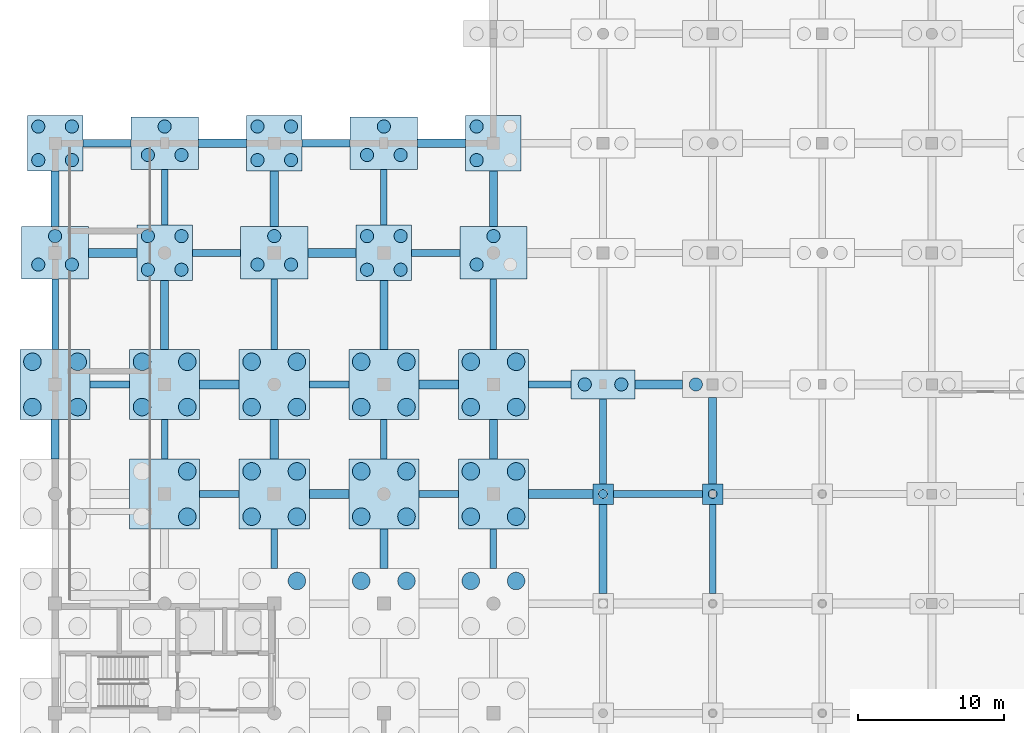
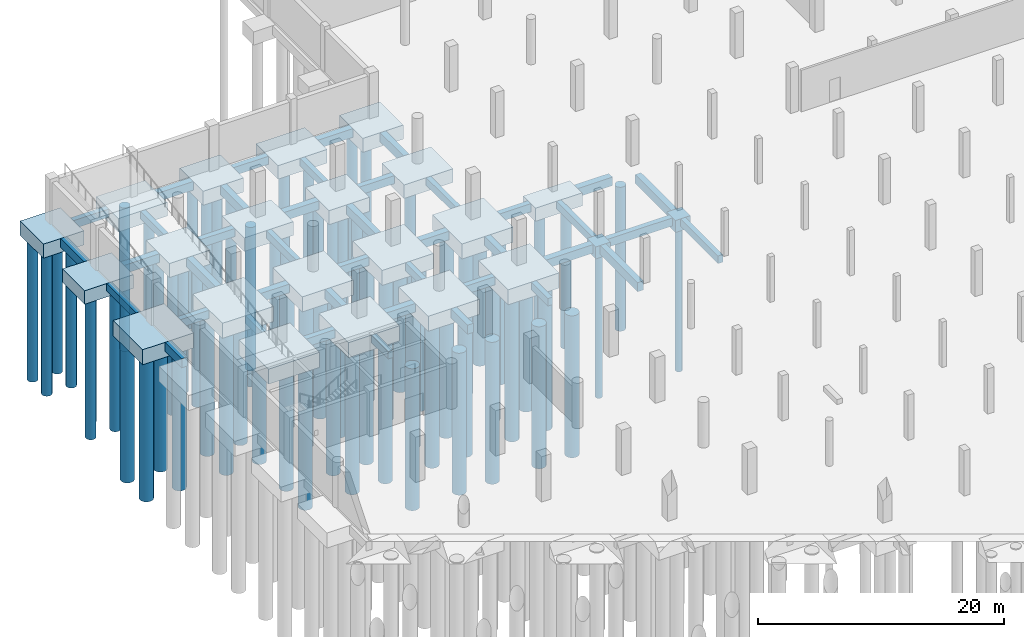
# One storey, part 6 of 42: 76 piles, 63 footings.
"""IFC4 building model written with IfcOpenShell, lengths in metres."""

from ifc_helpers import new_model, si_unit, direction, frame, origin, origin_2d, place, context, subcontext, project, spatial, rectangle, circle, extrude, material, material_profile, profile_set, type_object, element, save


model = new_model("IFC4")

# Units and contexts
model_context = context("Model", 3, precision=1e-05, world=origin(), true_north=direction((0.0, 1.0)))
body_context = subcontext(model_context, "Body", "Model", "MODEL_VIEW")
ifc_project = project(units=[si_unit("LENGTHUNIT", "METRE"), si_unit("AREAUNIT", "SQUARE_METRE"), si_unit("VOLUMEUNIT", "CUBIC_METRE"), si_unit("PLANEANGLEUNIT", "RADIAN"), si_unit("MASSUNIT", "GRAM", prefix="KILO")], contexts=[model_context])

# Site, building, storey
site_placement = place(None, origin())
site = spatial("IfcSite", under=ifc_project, at=site_placement, CompositionType="ELEMENT")
building_placement = place(site_placement, origin())
building = spatial("IfcBuilding", under=site, at=building_placement, Name="Dalvernix Boulevard General Hospital", CompositionType="ELEMENT")
storey_placement = place(building_placement, frame((0.0, 0.0, -4.5)))
storey = spatial("IfcBuildingStorey", under=building, at=storey_placement, Name="B1", CompositionType="ELEMENT", Elevation=-4.5)

# Footings
ifc_material_1 = material(Name="Concrete C35/45", Category="concrete")
footing_type_1 = type_object("IfcFootingType", Name="FTG-GB-01", PredefinedType="FOOTING_BEAM", material=ifc_material_1)
for number, where, z_axis, x_axis, name in (
    (1, (11.25, 69.0, -1.2998046875), (0.0, 0.0, 1.0), (1.0, 0.0, 0.0), "Ground beam K:2-3"),
    (2, (26.25, 69.0, -1.2998046875), (0.0, 0.0, 1.0), (1.0, 0.0, 0.0), "Ground beam K:4-5"),
):
    element("IfcFooting", number, at=place(storey_placement, frame(where, z_axis=z_axis, x_axis=x_axis)), inside=storey, type_object=footing_type_1, Name=name, PredefinedType="FOOTING_BEAM", context=body_context, shape_type="SweptSolid", body=[
        extrude(rectangle(XDim=2.699951171875, YDim=0.5, at=origin_2d()), origin(), (0.0, 0.0, 1.0), 0.800048828125),
    ])
footing_1_placement = place(storey_placement, frame((41.25, 69.0, -1.2998046875), z_axis=(0.0, 0.0, 1.0), x_axis=(1.0, 0.0, 0.0)))
element("IfcFooting", 3, at=footing_1_placement, inside=storey, type_object=footing_type_1, Name="Ground beam K:6-7", PredefinedType="FOOTING_BEAM", context=body_context, shape_type="SweptSolid", body=[
    extrude(rectangle(XDim=6.10009765625, YDim=0.5, at=origin_2d()), origin(), (0.0, 0.0, 1.0), 0.800048828125),
])
for number, where, z_axis, x_axis, name in (
    (4, (3.75, 76.5, -1.2998046875), (0.0, 0.0, 1.0), (1.0, 0.0, 0.0), "Ground beam L:1-2"),
    (5, (18.75, 76.5, -1.2998046875), (0.0, 0.0, 1.0), (1.0, 0.0, 0.0), "Ground beam L:3-4"),
):
    element("IfcFooting", number, at=place(storey_placement, frame(where, z_axis=z_axis, x_axis=x_axis)), inside=storey, type_object=footing_type_1, Name=name, PredefinedType="FOOTING_BEAM", context=body_context, shape_type="SweptSolid", body=[
        extrude(rectangle(XDim=2.699951171875, YDim=0.5, at=origin_2d()), origin(), (0.0, 0.0, 1.0), 0.800048828125),
    ])
footing_2_placement = place(storey_placement, frame((33.85009765625, 76.5, -1.2998046875), z_axis=(0.0, 0.0, 1.0), x_axis=(1.0, 0.0, 0.0)))
element("IfcFooting", 6, at=footing_2_placement, inside=storey, type_object=footing_type_1, Name="Ground beam L:5-6", PredefinedType="FOOTING_BEAM", context=body_context, shape_type="SweptSolid", body=[
    extrude(rectangle(XDim=2.89990234375, YDim=0.5, at=origin_2d()), origin(), (0.0, 0.0, 1.0), 0.800048828125),
])
for number, where, z_axis, x_axis, name in (
    (7, (11.050048828125, 85.5, -1.2998046875), (0.0, 0.0, 1.0), (1.0, 0.0, 0.0), "Ground beam M:2-3"),
    (8, (26.050048828125, 85.5, -1.2998046875), (0.0, 0.0, 1.0), (1.0, 0.0, 0.0), "Ground beam M:4-5"),
    (9, (3.550048828125, 93.0, -1.2998046875), (0.0, 0.0, 1.0), (1.0, 0.0, 0.0), "Ground beam N:1-2"),
    (10, (18.550048828125, 93.0, -1.2998046875), (0.0, 0.0, 1.0), (1.0, 0.0, 0.0), "Ground beam N:3-4"),
):
    element("IfcFooting", number, at=place(storey_placement, frame(where, z_axis=z_axis, x_axis=x_axis)), inside=storey, type_object=footing_type_1, Name=name, PredefinedType="FOOTING_BEAM", context=body_context, shape_type="SweptSolid", body=[
        extrude(rectangle(XDim=3.300048828125, YDim=0.5, at=origin_2d()), origin(), (0.0, 0.0, 1.0), 0.800048828125),
    ])
footing_type_2 = type_object("IfcFootingType", Name="FTG-GB-02", PredefinedType="FOOTING_BEAM", material=ifc_material_1)
footing_3_placement = place(storey_placement, frame((18.75, 69.0, -1.35009765625), z_axis=(0.0, 0.0, 1.0), x_axis=(1.0, 0.0, 0.0)))
element("IfcFooting", 11, at=footing_3_placement, inside=storey, type_object=footing_type_2, Name="Ground beam K:3-4", PredefinedType="FOOTING_BEAM", context=body_context, shape_type="SweptSolid", body=[
    extrude(rectangle(XDim=2.699951171875, YDim=0.60009765625, at=origin_2d()), origin(), (0.0, 0.0, 1.0), 0.85009765625),
])
footing_4_placement = place(storey_placement, frame((34.60009765625, 69.0, -1.35009765625), z_axis=(0.0, 0.0, 1.0), x_axis=(1.0, 0.0, 0.0)))
element("IfcFooting", 12, at=footing_4_placement, inside=storey, type_object=footing_type_2, Name="Ground beam K:5-6", PredefinedType="FOOTING_BEAM", context=body_context, shape_type="SweptSolid", body=[
    extrude(rectangle(XDim=4.39990234375, YDim=0.60009765625, at=origin_2d()), origin(), (0.0, 0.0, 1.0), 0.85009765625),
])
for number, where, z_axis, x_axis, name in (
    (13, (11.25, 76.5, -1.35009765625), (0.0, 0.0, 1.0), (1.0, 0.0, 0.0), "Ground beam L:2-3"),
    (14, (26.25, 76.5, -1.35009765625), (0.0, 0.0, 1.0), (1.0, 0.0, 0.0), "Ground beam L:4-5"),
):
    element("IfcFooting", number, at=place(storey_placement, frame(where, z_axis=z_axis, x_axis=x_axis)), inside=storey, type_object=footing_type_2, Name=name, PredefinedType="FOOTING_BEAM", context=body_context, shape_type="SweptSolid", body=[
        extrude(rectangle(XDim=2.699951171875, YDim=0.60009765625, at=origin_2d()), origin(), (0.0, 0.0, 1.0), 0.85009765625),
    ])
footing_5_placement = place(storey_placement, frame((41.324951171875, 76.5, -1.35009765625), z_axis=(0.0, 0.0, 1.0), x_axis=(1.0, 0.0, 0.0)))
element("IfcFooting", 15, at=footing_5_placement, inside=storey, type_object=footing_type_2, Name="Ground beam L:6-7", PredefinedType="FOOTING_BEAM", context=body_context, shape_type="SweptSolid", body=[
    extrude(rectangle(XDim=3.25, YDim=0.60009765625, at=origin_2d()), origin(), (0.0, 0.0, 1.0), 0.85009765625),
])
for number, where, z_axis, x_axis, name in (
    (16, (3.949951171875, 85.5, -1.35009765625), (0.0, 0.0, 1.0), (1.0, 0.0, 0.0), "Ground beam M:1-2"),
    (17, (18.949951171875, 85.5, -1.35009765625), (0.0, 0.0, 1.0), (1.0, 0.0, 0.0), "Ground beam M:3-4"),
    (18, (11.449951171875, 93.0, -1.35009765625), (0.0, 0.0, 1.0), (1.0, 0.0, 0.0), "Ground beam N:2-3"),
    (19, (26.449951171875, 93.0, -1.35009765625), (0.0, 0.0, 1.0), (1.0, 0.0, 0.0), "Ground beam N:4-5"),
):
    element("IfcFooting", number, at=place(storey_placement, frame(where, z_axis=z_axis, x_axis=x_axis)), inside=storey, type_object=footing_type_2, Name=name, PredefinedType="FOOTING_BEAM", context=body_context, shape_type="SweptSolid", body=[
        extrude(rectangle(XDim=3.300048828125, YDim=0.60009765625, at=origin_2d()), origin(), (0.0, 0.0, 1.0), 0.85009765625),
    ])
footing_type_3 = type_object("IfcFootingType", Name="FTG-GB-03", PredefinedType="FOOTING_BEAM", material=ifc_material_1)
footing_6_placement = place(storey_placement, frame((0.0, 81.300048828125, -1.25), z_axis=(0.0, 0.0, 1.0), x_axis=(0.0, 1.0, 0.0)))
element("IfcFooting", 20, at=footing_6_placement, inside=storey, type_object=footing_type_3, Name="Ground beam 1:L-M", PredefinedType="FOOTING_BEAM", context=body_context, shape_type="SweptSolid", body=[
    extrude(rectangle(XDim=4.800048828125, YDim=0.449951171875, at=origin_2d()), origin(), (0.0, 0.0, 1.0), 0.75),
])
footing_7_placement = place(storey_placement, frame((7.5, 72.75, -1.25), z_axis=(0.0, 0.0, 1.0), x_axis=(0.0, 1.0, 0.0)))
element("IfcFooting", 21, at=footing_7_placement, inside=storey, type_object=footing_type_3, Name="Ground beam 2:K-L", PredefinedType="FOOTING_BEAM", context=body_context, shape_type="SweptSolid", body=[
    extrude(rectangle(XDim=2.699951171875, YDim=0.449951171875, at=origin_2d()), origin(), (0.0, 0.0, 1.0), 0.75),
])
footing_8_placement = place(storey_placement, frame((7.5, 89.300048828125, -1.25), z_axis=(0.0, 0.0, 1.0), x_axis=(0.0, 1.0, 0.0)))
element("IfcFooting", 22, at=footing_8_placement, inside=storey, type_object=footing_type_3, Name="Ground beam 2:M-N", PredefinedType="FOOTING_BEAM", context=body_context, shape_type="SweptSolid", body=[
    extrude(rectangle(XDim=3.800048828125, YDim=0.449951171875, at=origin_2d()), origin(), (0.0, 0.0, 1.0), 0.75),
])
footing_9_placement = place(storey_placement, frame((15.0, 65.25, -1.25), z_axis=(0.0, 0.0, 1.0), x_axis=(0.0, 1.0, 0.0)))
element("IfcFooting", 23, at=footing_9_placement, inside=storey, type_object=footing_type_3, Name="Ground beam 3:J-K", PredefinedType="FOOTING_BEAM", context=body_context, shape_type="SweptSolid", body=[
    extrude(rectangle(XDim=2.699951171875, YDim=0.449951171875, at=origin_2d()), origin(), (0.0, 0.0, 1.0), 0.75),
])
footing_10_placement = place(storey_placement, frame((15.0, 81.300048828125, -1.25), z_axis=(0.0, 0.0, 1.0), x_axis=(0.0, 1.0, 0.0)))
element("IfcFooting", 24, at=footing_10_placement, inside=storey, type_object=footing_type_3, Name="Ground beam 3:L-M", PredefinedType="FOOTING_BEAM", context=body_context, shape_type="SweptSolid", body=[
    extrude(rectangle(XDim=4.800048828125, YDim=0.449951171875, at=origin_2d()), origin(), (0.0, 0.0, 1.0), 0.75),
])
footing_11_placement = place(storey_placement, frame((22.5, 72.75, -1.25), z_axis=(0.0, 0.0, 1.0), x_axis=(0.0, 1.0, 0.0)))
element("IfcFooting", 25, at=footing_11_placement, inside=storey, type_object=footing_type_3, Name="Ground beam 4:K-L", PredefinedType="FOOTING_BEAM", context=body_context, shape_type="SweptSolid", body=[
    extrude(rectangle(XDim=2.699951171875, YDim=0.449951171875, at=origin_2d()), origin(), (0.0, 0.0, 1.0), 0.75),
])
footing_12_placement = place(storey_placement, frame((22.5, 89.300048828125, -1.25), z_axis=(0.0, 0.0, 1.0), x_axis=(0.0, 1.0, 0.0)))
element("IfcFooting", 26, at=footing_12_placement, inside=storey, type_object=footing_type_3, Name="Ground beam 4:M-N", PredefinedType="FOOTING_BEAM", context=body_context, shape_type="SweptSolid", body=[
    extrude(rectangle(XDim=3.800048828125, YDim=0.449951171875, at=origin_2d()), origin(), (0.0, 0.0, 1.0), 0.75),
])
footing_13_placement = place(storey_placement, frame((30.0, 65.25, -1.25), z_axis=(0.0, 0.0, 1.0), x_axis=(0.0, 1.0, 0.0)))
element("IfcFooting", 27, at=footing_13_placement, inside=storey, type_object=footing_type_3, Name="Ground beam 5:J-K", PredefinedType="FOOTING_BEAM", context=body_context, shape_type="SweptSolid", body=[
    extrude(rectangle(XDim=2.699951171875, YDim=0.449951171875, at=origin_2d()), origin(), (0.0, 0.0, 1.0), 0.75),
])
footing_14_placement = place(storey_placement, frame((30.0, 81.300048828125, -1.25), z_axis=(0.0, 0.0, 1.0), x_axis=(0.0, 1.0, 0.0)))
element("IfcFooting", 28, at=footing_14_placement, inside=storey, type_object=footing_type_3, Name="Ground beam 5:L-M", PredefinedType="FOOTING_BEAM", context=body_context, shape_type="SweptSolid", body=[
    extrude(rectangle(XDim=4.800048828125, YDim=0.449951171875, at=origin_2d()), origin(), (0.0, 0.0, 1.0), 0.75),
])
footing_15_placement = place(storey_placement, frame((37.5, 72.60009765625, -1.25), z_axis=(0.0, 0.0, 1.0), x_axis=(0.0, 1.0, 0.0)))
element("IfcFooting", 29, at=footing_15_placement, inside=storey, type_object=footing_type_3, Name="Ground beam 6:K-L", PredefinedType="FOOTING_BEAM", context=body_context, shape_type="SweptSolid", body=[
    extrude(rectangle(XDim=5.800048828125, YDim=0.449951171875, at=origin_2d()), origin(), (0.0, 0.0, 1.0), 0.75),
])
footing_16_placement = place(storey_placement, frame((45.0, 65.25, -1.25), z_axis=(0.0, 0.0, 1.0), x_axis=(0.0, 1.0, 0.0)))
element("IfcFooting", 30, at=footing_16_placement, inside=storey, type_object=footing_type_3, Name="Ground beam 7:J-K", PredefinedType="FOOTING_BEAM", context=body_context, shape_type="SweptSolid", body=[
    extrude(rectangle(XDim=6.10009765625, YDim=0.449951171875, at=origin_2d()), origin(), (0.0, 0.0, 1.0), 0.75),
])
footing_type_4 = type_object("IfcFootingType", Name="FTG-GB-04", PredefinedType="FOOTING_BEAM", material=ifc_material_1)
footing_17_placement = place(storey_placement, frame((0.0, 72.75, -1.39990234375), z_axis=(0.0, 0.0, 1.0), x_axis=(0.0, 1.0, 0.0)))
element("IfcFooting", 31, at=footing_17_placement, inside=storey, type_object=footing_type_4, Name="Ground beam 1:K-L", PredefinedType="FOOTING_BEAM", context=body_context, shape_type="SweptSolid", body=[
    extrude(rectangle(XDim=2.699951171875, YDim=0.550048828125, at=origin_2d()), origin(), (0.0, 0.0, 1.0), 0.89990234375),
])
footing_18_placement = place(storey_placement, frame((0.0, 89.199951171875, -1.39990234375), z_axis=(0.0, 0.0, 1.0), x_axis=(0.0, 1.0, 0.0)))
element("IfcFooting", 32, at=footing_18_placement, inside=storey, type_object=footing_type_4, Name="Ground beam 1:M-N", PredefinedType="FOOTING_BEAM", context=body_context, shape_type="SweptSolid", body=[
    extrude(rectangle(XDim=3.800048828125, YDim=0.550048828125, at=origin_2d()), origin(), (0.0, 0.0, 1.0), 0.89990234375),
])
footing_19_placement = place(storey_placement, frame((7.5, 81.25, -1.39990234375), z_axis=(0.0, 0.0, 1.0), x_axis=(0.0, 1.0, 0.0)))
element("IfcFooting", 33, at=footing_19_placement, inside=storey, type_object=footing_type_4, Name="Ground beam 2:L-M", PredefinedType="FOOTING_BEAM", context=body_context, shape_type="SweptSolid", body=[
    extrude(rectangle(XDim=4.699951171875, YDim=0.550048828125, at=origin_2d()), origin(), (0.0, 0.0, 1.0), 0.89990234375),
])
footing_20_placement = place(storey_placement, frame((15.0, 72.75, -1.39990234375), z_axis=(0.0, 0.0, 1.0), x_axis=(0.0, 1.0, 0.0)))
element("IfcFooting", 34, at=footing_20_placement, inside=storey, type_object=footing_type_4, Name="Ground beam 3:K-L", PredefinedType="FOOTING_BEAM", context=body_context, shape_type="SweptSolid", body=[
    extrude(rectangle(XDim=2.699951171875, YDim=0.550048828125, at=origin_2d()), origin(), (0.0, 0.0, 1.0), 0.89990234375),
])
footing_21_placement = place(storey_placement, frame((15.0, 89.199951171875, -1.39990234375), z_axis=(0.0, 0.0, 1.0), x_axis=(0.0, 1.0, 0.0)))
element("IfcFooting", 35, at=footing_21_placement, inside=storey, type_object=footing_type_4, Name="Ground beam 3:M-N", PredefinedType="FOOTING_BEAM", context=body_context, shape_type="SweptSolid", body=[
    extrude(rectangle(XDim=3.800048828125, YDim=0.550048828125, at=origin_2d()), origin(), (0.0, 0.0, 1.0), 0.89990234375),
])
footing_22_placement = place(storey_placement, frame((22.5, 65.25, -1.39990234375), z_axis=(0.0, 0.0, 1.0), x_axis=(0.0, 1.0, 0.0)))
element("IfcFooting", 36, at=footing_22_placement, inside=storey, type_object=footing_type_4, Name="Ground beam 4:J-K", PredefinedType="FOOTING_BEAM", context=body_context, shape_type="SweptSolid", body=[
    extrude(rectangle(XDim=2.699951171875, YDim=0.550048828125, at=origin_2d()), origin(), (0.0, 0.0, 1.0), 0.89990234375),
])
footing_23_placement = place(storey_placement, frame((22.5, 81.25, -1.39990234375), z_axis=(0.0, 0.0, 1.0), x_axis=(0.0, 1.0, 0.0)))
element("IfcFooting", 37, at=footing_23_placement, inside=storey, type_object=footing_type_4, Name="Ground beam 4:L-M", PredefinedType="FOOTING_BEAM", context=body_context, shape_type="SweptSolid", body=[
    extrude(rectangle(XDim=4.699951171875, YDim=0.550048828125, at=origin_2d()), origin(), (0.0, 0.0, 1.0), 0.89990234375),
])
footing_24_placement = place(storey_placement, frame((30.0, 72.75, -1.39990234375), z_axis=(0.0, 0.0, 1.0), x_axis=(0.0, 1.0, 0.0)))
element("IfcFooting", 38, at=footing_24_placement, inside=storey, type_object=footing_type_4, Name="Ground beam 5:K-L", PredefinedType="FOOTING_BEAM", context=body_context, shape_type="SweptSolid", body=[
    extrude(rectangle(XDim=2.699951171875, YDim=0.550048828125, at=origin_2d()), origin(), (0.0, 0.0, 1.0), 0.89990234375),
])
footing_25_placement = place(storey_placement, frame((30.0, 89.199951171875, -1.39990234375), z_axis=(0.0, 0.0, 1.0), x_axis=(0.0, 1.0, 0.0)))
element("IfcFooting", 39, at=footing_25_placement, inside=storey, type_object=footing_type_4, Name="Ground beam 5:M-N", PredefinedType="FOOTING_BEAM", context=body_context, shape_type="SweptSolid", body=[
    extrude(rectangle(XDim=3.800048828125, YDim=0.550048828125, at=origin_2d()), origin(), (0.0, 0.0, 1.0), 0.89990234375),
])
footing_26_placement = place(storey_placement, frame((37.5, 65.25, -1.39990234375), z_axis=(0.0, 0.0, 1.0), x_axis=(0.0, 1.0, 0.0)))
element("IfcFooting", 40, at=footing_26_placement, inside=storey, type_object=footing_type_4, Name="Ground beam 6:J-K", PredefinedType="FOOTING_BEAM", context=body_context, shape_type="SweptSolid", body=[
    extrude(rectangle(XDim=6.10009765625, YDim=0.550048828125, at=origin_2d()), origin(), (0.0, 0.0, 1.0), 0.89990234375),
])
footing_27_placement = place(storey_placement, frame((45.0, 72.64990234375, -1.39990234375), z_axis=(0.0, 0.0, 1.0), x_axis=(0.0, 1.0, 0.0)))
element("IfcFooting", 41, at=footing_27_placement, inside=storey, type_object=footing_type_4, Name="Ground beam 7:K-L", PredefinedType="FOOTING_BEAM", context=body_context, shape_type="SweptSolid", body=[
    extrude(rectangle(XDim=5.89990234375, YDim=0.550048828125, at=origin_2d()), origin(), (0.0, 0.0, 1.0), 0.89990234375),
])
ifc_material_2 = material(Name="Concrete C40/50", Category="concrete")
footing_type_5 = type_object("IfcFootingType", Name="FTG-PC-01", PredefinedType="PILE_CAP", material=ifc_material_2)
for number, where, z_axis, x_axis, name in (
    (42, (37.5, 69.0, -1.7001953125), (0.0, 0.0, 1.0), (1.0, 0.0, 0.0), "Pile cap 6K"),
    (43, (45.0, 69.0, -1.7001953125), (0.0, 0.0, 1.0), (1.0, 0.0, 0.0), "Pile cap 7K"),
):
    element("IfcFooting", number, at=place(storey_placement, frame(where, z_axis=z_axis, x_axis=x_axis)), inside=storey, type_object=footing_type_5, Name=name, PredefinedType="PILE_CAP", context=body_context, shape_type="SweptSolid", body=[
        extrude(rectangle(XDim=1.39990234375, YDim=1.39990234375, at=origin_2d()), origin(), (0.0, 0.0, 1.0), 1.199951171875),
    ])
footing_type_6 = type_object("IfcFootingType", Name="FTG-PC-05", PredefinedType="PILE_CAP", material=ifc_material_2)
footing_28_placement = place(storey_placement, frame((37.5, 76.5, -1.7998046875), z_axis=(0.0, 0.0, 1.0), x_axis=(1.0, 0.0, 0.0)))
element("IfcFooting", 44, at=footing_28_placement, inside=storey, type_object=footing_type_6, Name="Pile cap 6L", PredefinedType="PILE_CAP", context=body_context, shape_type="SweptSolid", body=[
    extrude(rectangle(XDim=4.39990234375, YDim=2.0, at=origin_2d()), origin(), (0.0, 0.0, 1.0), 1.300048828125),
])
footing_type_7 = type_object("IfcFootingType", Name="FTG-PC-06", PredefinedType="PILE_CAP", material=ifc_material_2)
for number, where, z_axis, x_axis, name in (
    (45, (0.0, 85.5, -1.85009765625), (0.0, 0.0, 1.0), (1.0, 0.0, 0.0), "Pile cap 1M"),
    (46, (7.5, 93.0, -1.85009765625), (0.0, 0.0, 1.0), (1.0, 0.0, 0.0), "Pile cap 2N"),
    (47, (15.0, 85.5, -1.85009765625), (0.0, 0.0, 1.0), (1.0, 0.0, 0.0), "Pile cap 3M"),
    (48, (22.5, 93.0, -1.85009765625), (0.0, 0.0, 1.0), (1.0, 0.0, 0.0), "Pile cap 4N"),
    (49, (30.0, 85.5, -1.85009765625), (0.0, 0.0, 1.0), (1.0, 0.0, 0.0), "Pile cap 5M"),
):
    element("IfcFooting", number, at=place(storey_placement, frame(where, z_axis=z_axis, x_axis=x_axis)), inside=storey, type_object=footing_type_7, Name=name, PredefinedType="PILE_CAP", context=body_context, shape_type="SweptSolid", body=[
        extrude(rectangle(XDim=4.60009765625, YDim=3.60009765625, at=origin_2d()), origin(), (0.0, 0.0, 1.0), 1.35009765625),
    ])
footing_type_8 = type_object("IfcFootingType", Name="FTG-PC-07", PredefinedType="PILE_CAP", material=ifc_material_2)
for number, where, z_axis, x_axis, name in (
    (50, (0.0, 93.0, -1.89990234375), (0.0, 0.0, 1.0), (1.0, 0.0, 0.0), "Pile cap 1N"),
    (51, (7.5, 85.5, -1.89990234375), (0.0, 0.0, 1.0), (1.0, 0.0, 0.0), "Pile cap 2M"),
    (52, (15.0, 93.0, -1.89990234375), (0.0, 0.0, 1.0), (1.0, 0.0, 0.0), "Pile cap 3N"),
    (53, (22.5, 85.5, -1.89990234375), (0.0, 0.0, 1.0), (1.0, 0.0, 0.0), "Pile cap 4M"),
    (54, (30.0, 93.0, -1.89990234375), (0.0, 0.0, 1.0), (1.0, 0.0, 0.0), "Pile cap 5N"),
):
    element("IfcFooting", number, at=place(storey_placement, frame(where, z_axis=z_axis, x_axis=x_axis)), inside=storey, type_object=footing_type_8, Name=name, PredefinedType="PILE_CAP", context=body_context, shape_type="SweptSolid", body=[
        extrude(rectangle(XDim=3.800048828125, YDim=3.800048828125, at=origin_2d()), origin(), (0.0, 0.0, 1.0), 1.39990234375),
    ])
footing_type_9 = type_object("IfcFootingType", Name="FTG-PC-09", PredefinedType="PILE_CAP", material=ifc_material_2)
for number, where, z_axis, x_axis, name in (
    (55, (0.0, 76.5, -2.0), (0.0, 0.0, 1.0), (1.0, 0.0, 0.0), "Pile cap 1L"),
    (56, (7.5, 69.0, -2.0), (0.0, 0.0, 1.0), (1.0, 0.0, 0.0), "Pile cap 2K"),
    (57, (7.5, 76.5, -2.0), (0.0, 0.0, 1.0), (1.0, 0.0, 0.0), "Pile cap 2L"),
    (58, (15.0, 69.0, -2.0), (0.0, 0.0, 1.0), (1.0, 0.0, 0.0), "Pile cap 3K"),
    (59, (15.0, 76.5, -2.0), (0.0, 0.0, 1.0), (1.0, 0.0, 0.0), "Pile cap 3L"),
    (60, (22.5, 69.0, -2.0), (0.0, 0.0, 1.0), (1.0, 0.0, 0.0), "Pile cap 4K"),
    (61, (22.5, 76.5, -2.0), (0.0, 0.0, 1.0), (1.0, 0.0, 0.0), "Pile cap 4L"),
    (62, (30.0, 69.0, -2.0), (0.0, 0.0, 1.0), (1.0, 0.0, 0.0), "Pile cap 5K"),
    (63, (30.0, 76.5, -2.0), (0.0, 0.0, 1.0), (1.0, 0.0, 0.0), "Pile cap 5L"),
):
    element("IfcFooting", number, at=place(storey_placement, frame(where, z_axis=z_axis, x_axis=x_axis)), inside=storey, type_object=footing_type_9, Name=name, PredefinedType="PILE_CAP", context=body_context, shape_type="SweptSolid", body=[
        extrude(rectangle(XDim=4.800048828125, YDim=4.800048828125, at=origin_2d()), origin(), (0.0, 0.0, 1.0), 1.5),
    ])

# Piles
ifc_material_profile_1 = material_profile(ifc_material_1, circle(Radius=0.300048828125, at=origin_2d()), Name="BORED PILE D600")
ifc_profile_set_1 = profile_set([ifc_material_profile_1], Name="Concrete C35/45")
pile_type_1 = type_object("IfcPileType", Name="PILE-PL-01", PredefinedType="BORED", material=ifc_profile_set_1)
for number, where, z_axis, x_axis, name in (
    (64, (37.5, 69.0, -1.60009765625), (0.0, 0.0, -1.0), (1.0, 0.0, 0.0), "Bored pile 6K-1"),
    (65, (45.0, 69.0, -1.60009765625), (0.0, 0.0, -1.0), (1.0, 0.0, 0.0), "Bored pile 7K-1"),
):
    element("IfcPile", number, at=place(storey_placement, frame(where, z_axis=z_axis, x_axis=x_axis)), inside=storey, type_object=pile_type_1, Name=name, PredefinedType="BORED", context=body_context, shape_type="SweptSolid", body=[
        extrude(circle(Radius=0.300048828125, at=origin_2d()), origin(), (0.0, 0.0, 1.0), 14.39990234375),
    ])
ifc_material_profile_2 = material_profile(ifc_material_1, circle(Radius=0.449951171875, at=origin_2d()), Name="BORED PILE D900")
ifc_profile_set_2 = profile_set([ifc_material_profile_2], Name="Concrete C35/45")
pile_type_2 = type_object("IfcPileType", Name="PILE-PL-02", PredefinedType="BORED", material=ifc_profile_set_2)
for number, where, z_axis, x_axis, name in (
    (66, (-1.14990234375, 84.699951171875, -1.75), (0.0, 0.0, -1.0), (1.0, 0.0, 0.0), "Bored pile 1M-1"),
    (67, (1.14990234375, 84.699951171875, -1.75), (0.0, 0.0, -1.0), (1.0, 0.0, 0.0), "Bored pile 1M-2"),
    (68, (0.0, 86.64990234375, -1.75), (0.0, 0.0, -1.0), (1.0, 0.0, 0.0), "Bored pile 1M-3"),
):
    element("IfcPile", number, at=place(storey_placement, frame(where, z_axis=z_axis, x_axis=x_axis)), inside=storey, type_object=pile_type_2, Name=name, PredefinedType="BORED", context=body_context, shape_type="SweptSolid", body=[
        extrude(circle(Radius=0.449951171875, at=origin_2d()), origin(), (0.0, 0.0, 1.0), 14.25),
    ])
for number, where, z_axis, x_axis, name in (
    (69, (-1.14990234375, 91.85009765625, -1.800048828125), (0.0, 0.0, -1.0), (1.0, 0.0, 0.0), "Bored pile 1N-1"),
    (70, (1.14990234375, 91.85009765625, -1.800048828125), (0.0, 0.0, -1.0), (1.0, 0.0, 0.0), "Bored pile 1N-2"),
    (71, (-1.14990234375, 94.14990234375, -1.800048828125), (0.0, 0.0, -1.0), (1.0, 0.0, 0.0), "Bored pile 1N-3"),
    (72, (1.14990234375, 94.14990234375, -1.800048828125), (0.0, 0.0, -1.0), (1.0, 0.0, 0.0), "Bored pile 1N-4"),
    (73, (6.35009765625, 84.35009765625, -1.800048828125), (0.0, 0.0, -1.0), (1.0, 0.0, 0.0), "Bored pile 2M-1"),
    (74, (8.64990234375, 84.35009765625, -1.800048828125), (0.0, 0.0, -1.0), (1.0, 0.0, 0.0), "Bored pile 2M-2"),
    (75, (6.35009765625, 86.64990234375, -1.800048828125), (0.0, 0.0, -1.0), (1.0, 0.0, 0.0), "Bored pile 2M-3"),
    (76, (8.64990234375, 86.64990234375, -1.800048828125), (0.0, 0.0, -1.0), (1.0, 0.0, 0.0), "Bored pile 2M-4"),
):
    element("IfcPile", number, at=place(storey_placement, frame(where, z_axis=z_axis, x_axis=x_axis)), inside=storey, type_object=pile_type_2, Name=name, PredefinedType="BORED", context=body_context, shape_type="SweptSolid", body=[
        extrude(circle(Radius=0.449951171875, at=origin_2d()), origin(), (0.0, 0.0, 1.0), 14.199951171875),
    ])
for number, where, z_axis, x_axis, name in (
    (77, (6.35009765625, 92.199951171875, -1.75), (0.0, 0.0, -1.0), (1.0, 0.0, 0.0), "Bored pile 2N-1"),
    (78, (8.64990234375, 92.199951171875, -1.75), (0.0, 0.0, -1.0), (1.0, 0.0, 0.0), "Bored pile 2N-2"),
    (79, (7.5, 94.14990234375, -1.75), (0.0, 0.0, -1.0), (1.0, 0.0, 0.0), "Bored pile 2N-3"),
    (80, (13.85009765625, 84.699951171875, -1.75), (0.0, 0.0, -1.0), (1.0, 0.0, 0.0), "Bored pile 3M-1"),
    (81, (16.14990234375, 84.699951171875, -1.75), (0.0, 0.0, -1.0), (1.0, 0.0, 0.0), "Bored pile 3M-2"),
    (82, (15.0, 86.64990234375, -1.75), (0.0, 0.0, -1.0), (1.0, 0.0, 0.0), "Bored pile 3M-3"),
):
    element("IfcPile", number, at=place(storey_placement, frame(where, z_axis=z_axis, x_axis=x_axis)), inside=storey, type_object=pile_type_2, Name=name, PredefinedType="BORED", context=body_context, shape_type="SweptSolid", body=[
        extrude(circle(Radius=0.449951171875, at=origin_2d()), origin(), (0.0, 0.0, 1.0), 14.25),
    ])
for number, where, z_axis, x_axis, name in (
    (83, (13.85009765625, 91.85009765625, -1.800048828125), (0.0, 0.0, -1.0), (1.0, 0.0, 0.0), "Bored pile 3N-1"),
    (84, (16.14990234375, 91.85009765625, -1.800048828125), (0.0, 0.0, -1.0), (1.0, 0.0, 0.0), "Bored pile 3N-2"),
    (85, (13.85009765625, 94.14990234375, -1.800048828125), (0.0, 0.0, -1.0), (1.0, 0.0, 0.0), "Bored pile 3N-3"),
    (86, (16.14990234375, 94.14990234375, -1.800048828125), (0.0, 0.0, -1.0), (1.0, 0.0, 0.0), "Bored pile 3N-4"),
    (87, (21.35009765625, 84.35009765625, -1.800048828125), (0.0, 0.0, -1.0), (1.0, 0.0, 0.0), "Bored pile 4M-1"),
    (88, (23.64990234375, 84.35009765625, -1.800048828125), (0.0, 0.0, -1.0), (1.0, 0.0, 0.0), "Bored pile 4M-2"),
    (89, (21.35009765625, 86.64990234375, -1.800048828125), (0.0, 0.0, -1.0), (1.0, 0.0, 0.0), "Bored pile 4M-3"),
    (90, (23.64990234375, 86.64990234375, -1.800048828125), (0.0, 0.0, -1.0), (1.0, 0.0, 0.0), "Bored pile 4M-4"),
):
    element("IfcPile", number, at=place(storey_placement, frame(where, z_axis=z_axis, x_axis=x_axis)), inside=storey, type_object=pile_type_2, Name=name, PredefinedType="BORED", context=body_context, shape_type="SweptSolid", body=[
        extrude(circle(Radius=0.449951171875, at=origin_2d()), origin(), (0.0, 0.0, 1.0), 14.199951171875),
    ])
for number, where, z_axis, x_axis, name in (
    (91, (21.35009765625, 92.199951171875, -1.75), (0.0, 0.0, -1.0), (1.0, 0.0, 0.0), "Bored pile 4N-1"),
    (92, (23.64990234375, 92.199951171875, -1.75), (0.0, 0.0, -1.0), (1.0, 0.0, 0.0), "Bored pile 4N-2"),
    (93, (22.5, 94.14990234375, -1.75), (0.0, 0.0, -1.0), (1.0, 0.0, 0.0), "Bored pile 4N-3"),
    (94, (28.85009765625, 84.699951171875, -1.75), (0.0, 0.0, -1.0), (1.0, 0.0, 0.0), "Bored pile 5M-1"),
    (95, (30.0, 86.64990234375, -1.75), (0.0, 0.0, -1.0), (1.0, 0.0, 0.0), "Bored pile 5M-3"),
):
    element("IfcPile", number, at=place(storey_placement, frame(where, z_axis=z_axis, x_axis=x_axis)), inside=storey, type_object=pile_type_2, Name=name, PredefinedType="BORED", context=body_context, shape_type="SweptSolid", body=[
        extrude(circle(Radius=0.449951171875, at=origin_2d()), origin(), (0.0, 0.0, 1.0), 14.25),
    ])
for number, where, z_axis, x_axis, name in (
    (96, (28.85009765625, 91.85009765625, -1.800048828125), (0.0, 0.0, -1.0), (1.0, 0.0, 0.0), "Bored pile 5N-1"),
    (97, (28.85009765625, 94.14990234375, -1.800048828125), (0.0, 0.0, -1.0), (1.0, 0.0, 0.0), "Bored pile 5N-3"),
):
    element("IfcPile", number, at=place(storey_placement, frame(where, z_axis=z_axis, x_axis=x_axis)), inside=storey, type_object=pile_type_2, Name=name, PredefinedType="BORED", context=body_context, shape_type="SweptSolid", body=[
        extrude(circle(Radius=0.449951171875, at=origin_2d()), origin(), (0.0, 0.0, 1.0), 14.199951171875),
    ])
for number, where, z_axis, x_axis, name in (
    (98, (36.25, 76.5, -1.699951171875), (0.0, 0.0, -1.0), (1.0, 0.0, 0.0), "Bored pile 6L-1"),
    (99, (38.75, 76.5, -1.699951171875), (0.0, 0.0, -1.0), (1.0, 0.0, 0.0), "Bored pile 6L-2"),
    (100, (43.85009765625, 76.5, -1.699951171875), (0.0, 0.0, -1.0), (1.0, 0.0, 0.0), "Bored pile 7L-1"),
):
    element("IfcPile", number, at=place(storey_placement, frame(where, z_axis=z_axis, x_axis=x_axis)), inside=storey, type_object=pile_type_2, Name=name, PredefinedType="BORED", context=body_context, shape_type="SweptSolid", body=[
        extrude(circle(Radius=0.449951171875, at=origin_2d()), origin(), (0.0, 0.0, 1.0), 14.300048828125),
    ])
ifc_material_profile_3 = material_profile(ifc_material_1, circle(Radius=0.60009765625, at=origin_2d()), Name="BORED PILE D1200")
ifc_profile_set_3 = profile_set([ifc_material_profile_3], Name="Concrete C35/45")
pile_type_3 = type_object("IfcPileType", Name="PILE-PL-03", PredefinedType="BORED", material=ifc_profile_set_3)
for number, where, z_axis, x_axis, name in (
    (101, (-1.550048828125, 74.949951171875, -1.89990234375), (0.0, 0.0, -1.0), (1.0, 0.0, 0.0), "Bored pile 1L-1"),
    (102, (1.550048828125, 74.949951171875, -1.89990234375), (0.0, 0.0, -1.0), (1.0, 0.0, 0.0), "Bored pile 1L-2"),
    (103, (-1.550048828125, 78.050048828125, -1.89990234375), (0.0, 0.0, -1.0), (1.0, 0.0, 0.0), "Bored pile 1L-3"),
    (104, (1.550048828125, 78.050048828125, -1.89990234375), (0.0, 0.0, -1.0), (1.0, 0.0, 0.0), "Bored pile 1L-4"),
    (105, (9.050048828125, 67.449951171875, -1.89990234375), (0.0, 0.0, -1.0), (1.0, 0.0, 0.0), "Bored pile 2K-2"),
    (106, (9.050048828125, 70.550048828125, -1.89990234375), (0.0, 0.0, -1.0), (1.0, 0.0, 0.0), "Bored pile 2K-4"),
    (107, (5.949951171875, 74.949951171875, -1.89990234375), (0.0, 0.0, -1.0), (1.0, 0.0, 0.0), "Bored pile 2L-1"),
    (108, (9.050048828125, 74.949951171875, -1.89990234375), (0.0, 0.0, -1.0), (1.0, 0.0, 0.0), "Bored pile 2L-2"),
    (109, (5.949951171875, 78.050048828125, -1.89990234375), (0.0, 0.0, -1.0), (1.0, 0.0, 0.0), "Bored pile 2L-3"),
    (110, (9.050048828125, 78.050048828125, -1.89990234375), (0.0, 0.0, -1.0), (1.0, 0.0, 0.0), "Bored pile 2L-4"),
    (111, (16.550048828125, 63.050048828125, -1.89990234375), (0.0, 0.0, -1.0), (1.0, 0.0, 0.0), "Bored pile 3J-4"),
    (112, (13.449951171875, 67.449951171875, -1.89990234375), (0.0, 0.0, -1.0), (1.0, 0.0, 0.0), "Bored pile 3K-1"),
    (113, (16.550048828125, 67.449951171875, -1.89990234375), (0.0, 0.0, -1.0), (1.0, 0.0, 0.0), "Bored pile 3K-2"),
    (114, (13.449951171875, 70.550048828125, -1.89990234375), (0.0, 0.0, -1.0), (1.0, 0.0, 0.0), "Bored pile 3K-3"),
    (115, (16.550048828125, 70.550048828125, -1.89990234375), (0.0, 0.0, -1.0), (1.0, 0.0, 0.0), "Bored pile 3K-4"),
    (116, (13.449951171875, 74.949951171875, -1.89990234375), (0.0, 0.0, -1.0), (1.0, 0.0, 0.0), "Bored pile 3L-1"),
    (117, (16.550048828125, 74.949951171875, -1.89990234375), (0.0, 0.0, -1.0), (1.0, 0.0, 0.0), "Bored pile 3L-2"),
    (118, (13.449951171875, 78.050048828125, -1.89990234375), (0.0, 0.0, -1.0), (1.0, 0.0, 0.0), "Bored pile 3L-3"),
    (119, (16.550048828125, 78.050048828125, -1.89990234375), (0.0, 0.0, -1.0), (1.0, 0.0, 0.0), "Bored pile 3L-4"),
    (120, (20.949951171875, 63.050048828125, -1.89990234375), (0.0, 0.0, -1.0), (1.0, 0.0, 0.0), "Bored pile 4J-3"),
    (121, (24.050048828125, 63.050048828125, -1.89990234375), (0.0, 0.0, -1.0), (1.0, 0.0, 0.0), "Bored pile 4J-4"),
    (122, (20.949951171875, 67.449951171875, -1.89990234375), (0.0, 0.0, -1.0), (1.0, 0.0, 0.0), "Bored pile 4K-1"),
    (123, (24.050048828125, 67.449951171875, -1.89990234375), (0.0, 0.0, -1.0), (1.0, 0.0, 0.0), "Bored pile 4K-2"),
    (124, (20.949951171875, 70.550048828125, -1.89990234375), (0.0, 0.0, -1.0), (1.0, 0.0, 0.0), "Bored pile 4K-3"),
    (125, (24.050048828125, 70.550048828125, -1.89990234375), (0.0, 0.0, -1.0), (1.0, 0.0, 0.0), "Bored pile 4K-4"),
    (126, (20.949951171875, 74.949951171875, -1.89990234375), (0.0, 0.0, -1.0), (1.0, 0.0, 0.0), "Bored pile 4L-1"),
    (127, (24.050048828125, 74.949951171875, -1.89990234375), (0.0, 0.0, -1.0), (1.0, 0.0, 0.0), "Bored pile 4L-2"),
    (128, (20.949951171875, 78.050048828125, -1.89990234375), (0.0, 0.0, -1.0), (1.0, 0.0, 0.0), "Bored pile 4L-3"),
    (129, (24.050048828125, 78.050048828125, -1.89990234375), (0.0, 0.0, -1.0), (1.0, 0.0, 0.0), "Bored pile 4L-4"),
    (130, (28.449951171875, 63.050048828125, -1.89990234375), (0.0, 0.0, -1.0), (1.0, 0.0, 0.0), "Bored pile 5J-3"),
    (131, (31.550048828125, 63.050048828125, -1.89990234375), (0.0, 0.0, -1.0), (1.0, 0.0, 0.0), "Bored pile 5J-4"),
    (132, (28.449951171875, 67.449951171875, -1.89990234375), (0.0, 0.0, -1.0), (1.0, 0.0, 0.0), "Bored pile 5K-1"),
    (133, (31.550048828125, 67.449951171875, -1.89990234375), (0.0, 0.0, -1.0), (1.0, 0.0, 0.0), "Bored pile 5K-2"),
    (134, (28.449951171875, 70.550048828125, -1.89990234375), (0.0, 0.0, -1.0), (1.0, 0.0, 0.0), "Bored pile 5K-3"),
    (135, (31.550048828125, 70.550048828125, -1.89990234375), (0.0, 0.0, -1.0), (1.0, 0.0, 0.0), "Bored pile 5K-4"),
    (136, (28.449951171875, 74.949951171875, -1.89990234375), (0.0, 0.0, -1.0), (1.0, 0.0, 0.0), "Bored pile 5L-1"),
    (137, (31.550048828125, 74.949951171875, -1.89990234375), (0.0, 0.0, -1.0), (1.0, 0.0, 0.0), "Bored pile 5L-2"),
    (138, (28.449951171875, 78.050048828125, -1.89990234375), (0.0, 0.0, -1.0), (1.0, 0.0, 0.0), "Bored pile 5L-3"),
    (139, (31.550048828125, 78.050048828125, -1.89990234375), (0.0, 0.0, -1.0), (1.0, 0.0, 0.0), "Bored pile 5L-4"),
):
    element("IfcPile", number, at=place(storey_placement, frame(where, z_axis=z_axis, x_axis=x_axis)), inside=storey, type_object=pile_type_3, Name=name, PredefinedType="BORED", context=body_context, shape_type="SweptSolid", body=[
        extrude(circle(Radius=0.60009765625, at=origin_2d()), origin(), (0.0, 0.0, 1.0), 14.10009765625),
    ])

save(model, "model.ifc")
